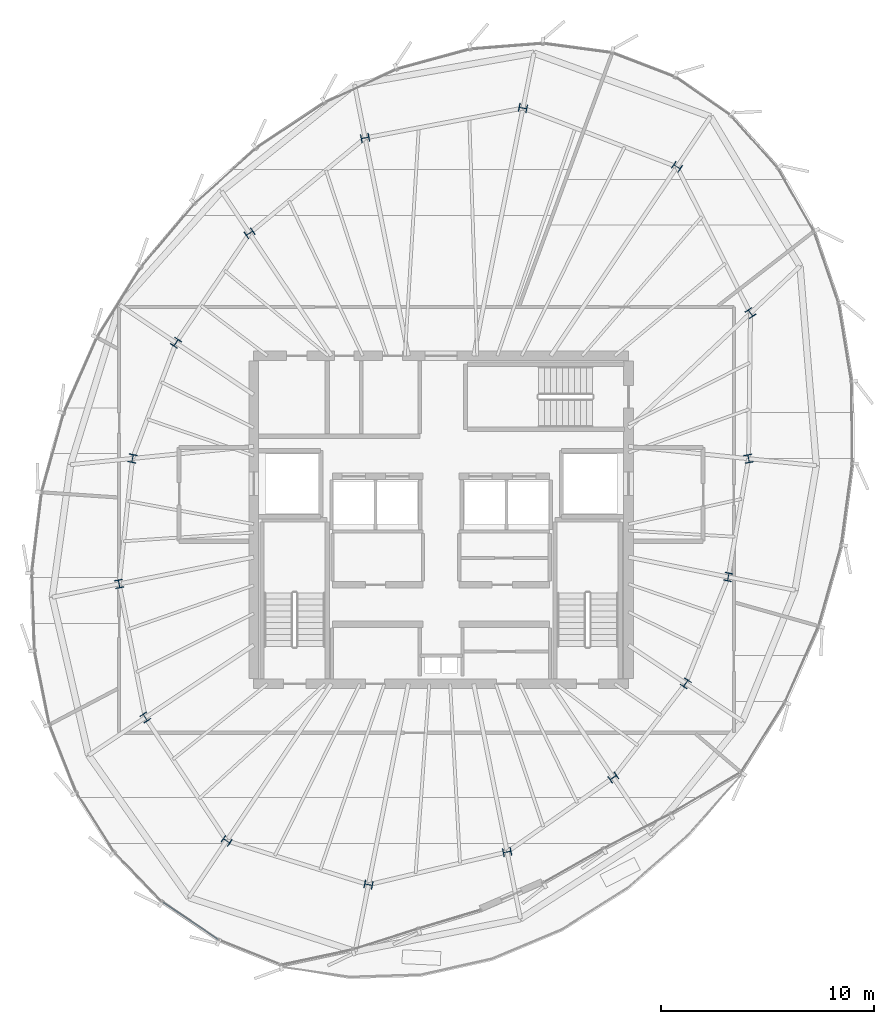
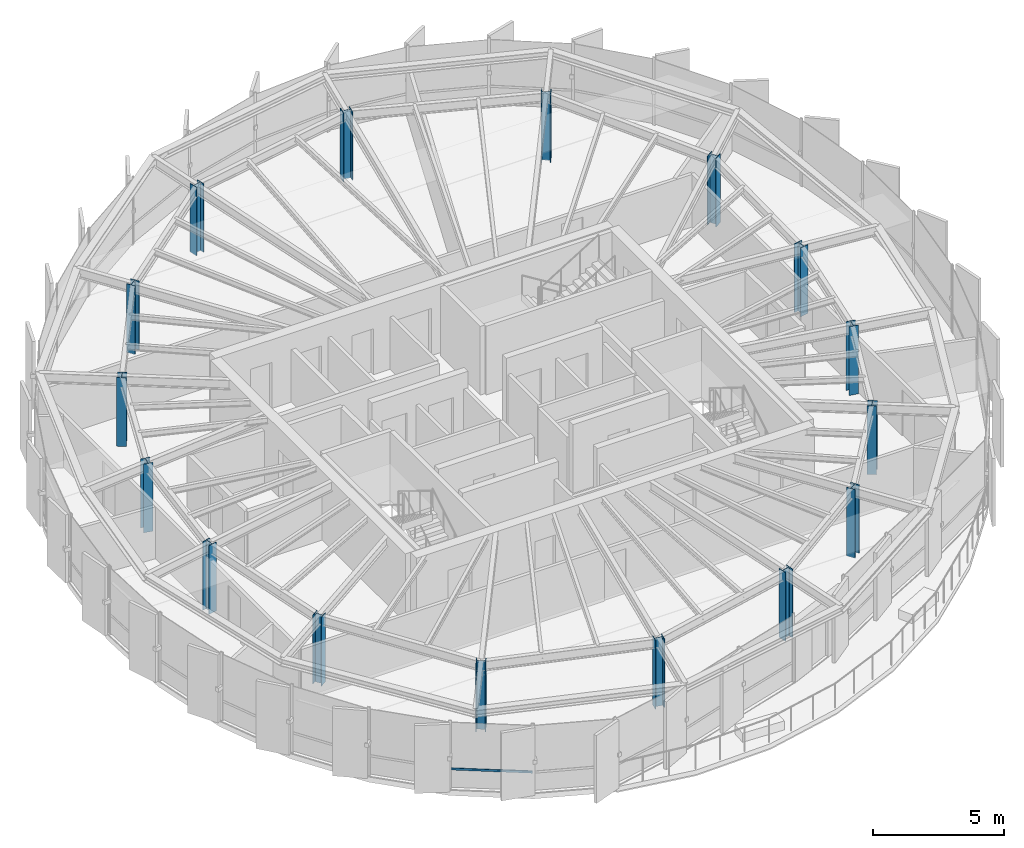
# One storey, part 1 of 31: 16 columns, 1 member, 1 element without a shape of its own.
"""IFC4 building model written with IfcOpenShell, lengths in metres."""

from ifc_helpers import new_model, si_unit, direction, frame, origin, origin_2d, place, context, subcontext, project, spatial, hollow_rectangle, i_section, extrude, source, transform, mapped, material, layer, layer_set, material_profile, profile_set, type_object, element, aggregate, save


model = new_model("IFC4")

# Units and contexts
model_context = context("Model", 3, precision=1e-05, world=origin(), true_north=direction((0.0, 1.0)))
body_context = subcontext(model_context, "Body", "Model", "MODEL_VIEW")
ifc_project = project(units=[si_unit("LENGTHUNIT", "METRE"), si_unit("AREAUNIT", "SQUARE_METRE"), si_unit("VOLUMEUNIT", "CUBIC_METRE"), si_unit("PLANEANGLEUNIT", "RADIAN"), si_unit("MASSUNIT", "GRAM", prefix="KILO"), si_unit("THERMODYNAMICTEMPERATUREUNIT", "KELVIN")], contexts=[model_context])

# Site, building, storey
site_placement = place(None, origin())
site = spatial("IfcSite", under=ifc_project, at=site_placement, CompositionType="ELEMENT")
building_placement = place(site_placement, origin())
building = spatial("IfcBuilding", under=site, at=building_placement, Name="Kethvar Cultural Tower", CompositionType="ELEMENT")
storey_placement = place(building_placement, frame((0.0, 0.0, 283.60009765625)))
storey = spatial("IfcBuildingStorey", under=building, at=storey_placement, Name="L75", CompositionType="ELEMENT", Elevation=283.60009765625)

# Columns
ifc_material_1 = material(Name="Steel S355J2", Category="steel")
ifc_material_profile_1 = material_profile(ifc_material_1, i_section(OverallWidth=0.3740234375, OverallDepth=0.383056640625, WebThickness=0.0166015625, FlangeThickness=0.026123046875, FilletRadius=0.014892578125, at=origin_2d()), Name="Steel S355J2 — HD360x300")
ifc_profile_set_1 = profile_set([ifc_material_profile_1], Name="Steel S355J2 — HD360x300")
column_type = type_object("IfcColumnType", Name="COL-HD300", PredefinedType="COLUMN", material=ifc_profile_set_1)
shared_shape_1 = source(origin(), body_context, "Body", "SweptSolid", [
    extrude(i_section(OverallWidth=0.3740234375, OverallDepth=0.383056640625, WebThickness=0.0166015625, FlangeThickness=0.026123046875, FilletRadius=0.014892578125, at=origin_2d()), origin(), (0.0, 0.0, 1.0), 3.2099609375),
])
for number, where, z_axis, x_axis, name in (
    (1, (61.237060546875, 30.671630859375, 0.0), (0.0, 0.0, 1.0), (0.980785280403, 0.195090322016, 0.0), "L75 Mega-Column MC-01"),
    (2, (61.32568359375, 37.505859375, 0.0), (0.0, 0.0, 1.0), (0.831469612303, 0.55557023302, 0.0), "L75 Mega-Column MC-02"),
    (3, (57.875244140625, 44.375, 0.0), (0.0, 0.0, 1.0), (0.55557023302, 0.831469612303, 0.0), "L75 Mega-Column MC-03"),
    (4, (50.645263671875, 47.131591796875, 0.0), (0.0, 0.0, 1.0), (0.195090322016, 0.980785280403, 0.0), "L75 Mega-Column MC-04"),
    (5, (43.23291015625, 45.732421875, 0.0), (0.0, 0.0, 1.0), (-0.195090322016, 0.980785280403, 0.0), "L75 Mega-Column MC-05"),
    (6, (37.8095703125, 41.255126953125, 0.0), (0.0, 0.0, 1.0), (-0.55557023302, 0.831469612303, 0.0), "L75 Mega-Column MC-06"),
    (7, (34.35595703125, 36.114990234375, 0.0), (0.0, 0.0, 1.0), (-0.831469612303, 0.55557023302, 0.0), "L75 Mega-Column MC-07"),
    (8, (32.3125, 30.681884765625, 0.0), (0.0, 0.0, 1.0), (-0.980785280403, 0.195090322016, 0.0), "L75 Mega-Column MC-08"),
    (9, (31.68310546875, 24.79296875, 0.0), (0.0, 0.0, 1.0), (-0.980785280403, -0.195090322016, 0.0), "L75 Mega-Column MC-09"),
    (10, (32.912841796875, 18.52099609375, 0.0), (0.0, 0.0, 1.0), (-0.831469612303, -0.55557023302, 0.0), "L75 Mega-Column MC-10"),
    (11, (36.731201171875, 12.73095703125, 0.0), (0.0, 0.0, 1.0), (-0.55557023302, -0.831469612303, 0.0), "L75 Mega-Column MC-11"),
    (12, (43.392822265625, 10.67138671875, 0.0), (0.0, 0.0, 1.0), (-0.195090322016, -0.980785280403, 0.0), "L75 Mega-Column MC-12"),
    (13, (49.901611328125, 12.206787109375, 0.0), (0.0, 0.0, 1.0), (0.195090322016, -0.980785280403, 0.0), "L75 Mega-Column MC-13"),
    (14, (54.885009765625, 15.7001953125, 0.0), (0.0, 0.0, 1.0), (0.55557023302, -0.831469612303, 0.0), "L75 Mega-Column MC-14"),
    (15, (58.287109375, 20.12451171875, 0.0), (0.0, 0.0, 1.0), (0.831469612303, -0.55557023302, 0.0), "L75 Mega-Column MC-15"),
    (16, (60.28369140625, 25.117919921875, 0.0), (0.0, 0.0, 1.0), (0.980785280403, -0.195090322016, 0.0), "L75 Mega-Column MC-16"),
):
    element("IfcColumn", number, at=place(storey_placement, frame(where, z_axis=z_axis, x_axis=x_axis)), inside=storey, type_object=column_type, Name=name, PredefinedType="COLUMN", context=body_context, shape_type="MappedRepresentation", body=[
        mapped(shared_shape_1, transform((0.0, 0.0, 0.0), scale=1.0)),
    ])

# Curtain wall, member
ifc_material_2 = material(Name="Aluminium 6063-T6", Category="aluminium")
ifc_layer = layer(ifc_material_2, 0.179931640625, Name="Aluminium 6063-T6", Category="aluminium")
ifc_layer_set = layer_set([ifc_layer], Name="Aluminium 6063-T6 (180 mm)")
curtain_wall_type = type_object("IfcCurtainWallType", Name="CW-SYS-05-Z56", PredefinedType="NOTDEFINED", material=ifc_layer_set)
curtain_wall_placement = place(storey_placement, origin())
curtain_wall = element("IfcCurtainWall", 17, at=curtain_wall_placement, inside=storey, type_object=curtain_wall_type, Name="L75 Curtain Wall Run 03", PredefinedType="NOTDEFINED")
ifc_material_profile_2 = material_profile(ifc_material_2, hollow_rectangle(XDim=0.050048828125, YDim=0.10009765625, WallThickness=0.00390625, at=origin_2d()), Name="Aluminium 6063-T6 — RHS100x50x4")
ifc_profile_set_2 = profile_set([ifc_material_profile_2], Name="Aluminium 6063-T6 — RHS100x50x4")
member_type = type_object("IfcMemberType", Name="CW-SYS-05-Z56-TRN", PredefinedType="USERDEFINED", material=ifc_profile_set_2)
shared_shape_2 = source(origin(), body_context, "Body", "SweptSolid", [
    extrude(hollow_rectangle(XDim=0.050048828125, YDim=0.10009765625, WallThickness=0.00390625, at=origin_2d()), origin(), (0.0, 0.0, 1.0), 3.129150390625),
])
member_placement = place(storey_placement, frame((33.741943359375, 9.8486328125, 0.949951171875), z_axis=(0.829109976387, -0.559085545383, 0.0), x_axis=(0.559085545383, 0.829109976387, 0.0)))
member = element("IfcMember", 18, at=member_placement, type_object=member_type, Name="CW-L75-R03 Transom 6", ObjectType="TRANSOM", PredefinedType="USERDEFINED", context=body_context, shape_type="MappedRepresentation", body=[
    mapped(shared_shape_2, transform((0.0, 0.0, 0.0), scale=1.0)),
])
aggregate(curtain_wall, [member])

save(model, "model.ifc")
